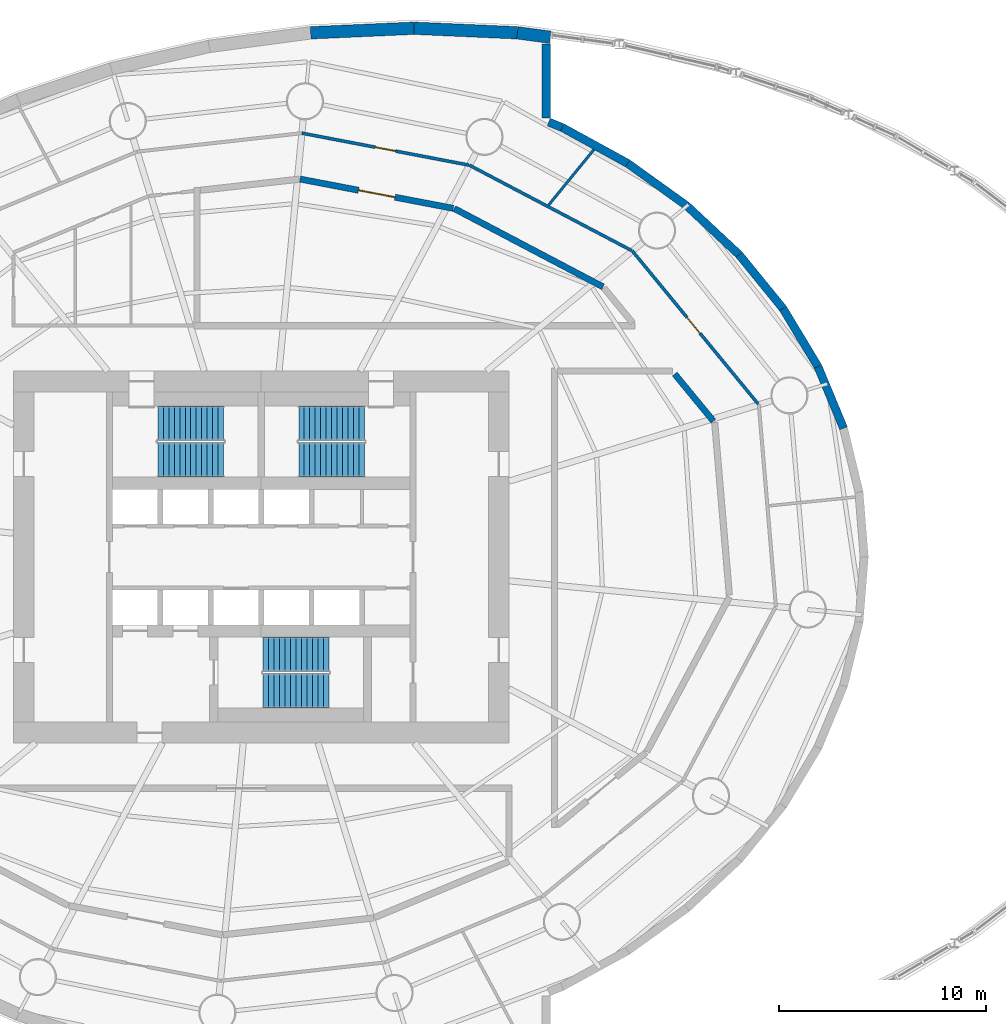
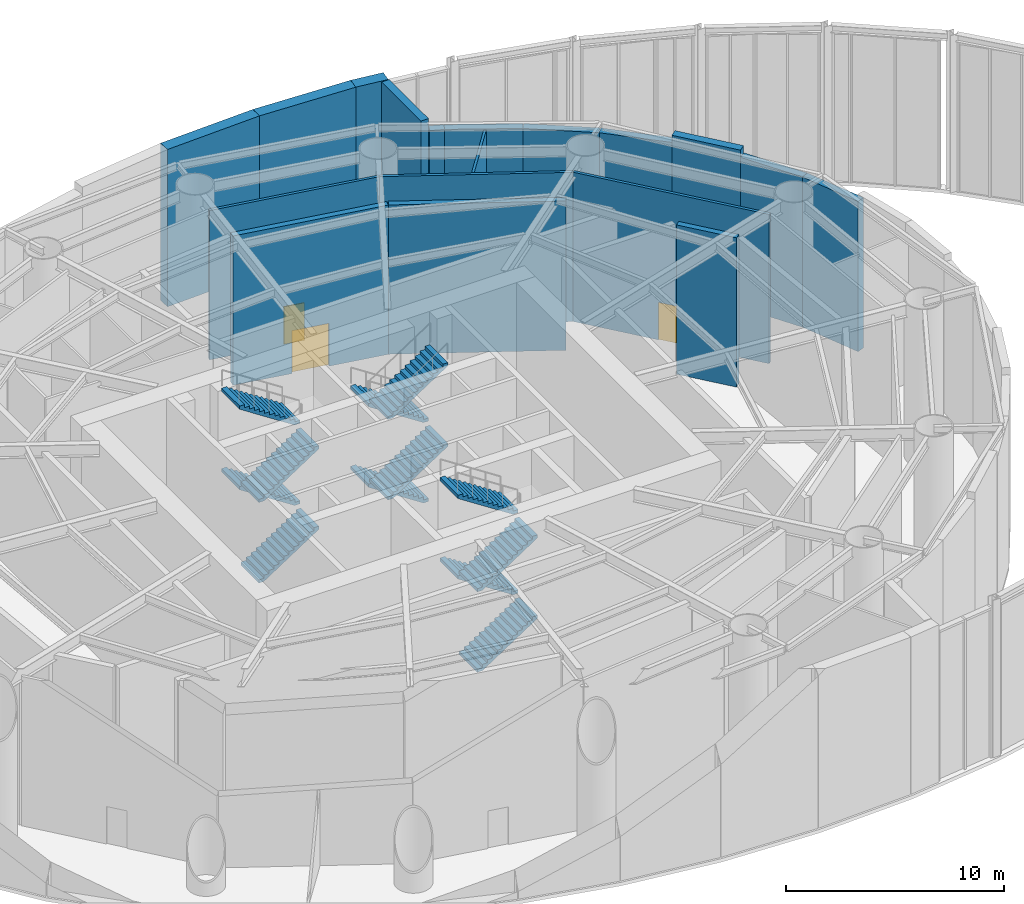
# One storey, part 17 of 19: 18 walls, 12 stair flights, 3 doors, 3 openings, 3 elements without a shape of their own.
"""IFC4 building model written with IfcOpenShell, lengths in metres."""

import ifcopenshell
import ifcopenshell.guid

model = None  # the IFC model being written
_history = None  # IfcOwnerHistory: only IFC2X3 demands one
_inside = {}  # id of a spatial element -> (the spatial element, [elements in it])
_under = {}  # id of a project, library or spatial element -> (it, [spatial elements below it])
_declared = {}  # id of a project -> (the project, [libraries it declares])
_typed = {}  # id of a type object -> (the type object, [elements of that type])
_made_of = {}  # id of a material, layer set ... -> (it, [elements and type objects made of it])


def new_model(schema):
    """Start an empty IFC model of exactly this schema.

    Asked for "IFC4X3", IfcOpenShell would pick the latest addendum, in which some entities
    have other attributes; the version numbers below select the first issue.
    IFC2X3 requires an IfcOwnerHistory on every rooted entity: one is made here for all.
    """
    global model, _history
    if schema == "IFC4X3":
        model = ifcopenshell.file(schema_version=(4, 3, 0, 0))
    else:
        model = ifcopenshell.file(schema=schema)
    _inside.clear()
    _under.clear()
    _declared.clear()
    _typed.clear()
    _made_of.clear()
    _history = None
    if model.schema == "IFC2X3":
        org = make("IfcOrganization", Name="unknown")
        user = make(
            "IfcPersonAndOrganization",
            ThePerson=make("IfcPerson", FamilyName="unknown"),
            TheOrganization=org,
        )
        app = make(
            "IfcApplication",
            ApplicationDeveloper=org,
            Version="unknown",
            ApplicationFullName="unknown",
            ApplicationIdentifier="unknown",
        )
        _history = make(
            "IfcOwnerHistory",
            OwningUser=user,
            OwningApplication=app,
            ChangeAction="ADDED",
            CreationDate=0,
        )
    return model


def make(cls, **values):
    """One entity of the class cls with the attributes given. An attribute that is None is left unset."""
    return model.create_entity(
        cls, **{name: value for name, value in values.items() if value is not None}
    )


def rooted(cls, **values):
    """An entity with a GlobalId (a new one), such as an element, a storey or a relation."""
    return make(cls, GlobalId=ifcopenshell.guid.new(), OwnerHistory=_history, **values)


def si_unit(unit_type, name, prefix=None):
    """IfcSIUnit, for example si_unit("LENGTHUNIT", "METRE", prefix="MILLI")."""
    return make("IfcSIUnit", UnitType=unit_type, Prefix=prefix, Name=name)


def assignment(units):
    """IfcUnitAssignment: the units of a project."""
    return None if units is None else make("IfcUnitAssignment", Units=units)


def point(xyz):
    """IfcCartesianPoint."""
    return None if xyz is None else make("IfcCartesianPoint", Coordinates=xyz)


def direction(xyz):
    """IfcDirection."""
    return None if xyz is None else make("IfcDirection", DirectionRatios=xyz)


def frame(location, z_axis=None, x_axis=None):
    """IfcAxis2Placement3D, a coordinate frame: its origin and axes. An axis left out is left unset."""
    return make(
        "IfcAxis2Placement3D",
        Location=point(location),
        Axis=direction(z_axis),
        RefDirection=direction(x_axis),
    )


def frame_2d(location, x_axis=None):
    """IfcAxis2Placement2D, a coordinate frame in the plane: its origin and x axis."""
    return make(
        "IfcAxis2Placement2D", Location=point(location), RefDirection=direction(x_axis)
    )


def origin():
    """The frame at (0, 0, 0) with its axes left unset."""
    return frame((0.0, 0.0, 0.0))


def place(relative_to, where):
    """IfcLocalPlacement: puts the frame where relative to a parent placement (None: the world)."""
    return make(
        "IfcLocalPlacement", PlacementRelTo=relative_to, RelativePlacement=where
    )


def context(
    kind, dimensions, precision=None, world=None, true_north=None, identifier=None
):
    """IfcGeometricRepresentationContext, for example the 3D "Model" context."""
    return make(
        "IfcGeometricRepresentationContext",
        ContextIdentifier=identifier,
        ContextType=kind,
        CoordinateSpaceDimension=dimensions,
        Precision=precision,
        WorldCoordinateSystem=world,
        TrueNorth=true_north,
    )


def subcontext(parent, identifier, kind, view, scale=None):
    """IfcGeometricRepresentationSubContext, for example "Body" below "Model"."""
    return make(
        "IfcGeometricRepresentationSubContext",
        ContextIdentifier=identifier,
        ContextType=kind,
        ParentContext=parent,
        TargetScale=scale,
        TargetView=view,
    )


def project(units=None, contexts=None):
    """IfcProject with its units and contexts."""
    return rooted(
        "IfcProject",
        Name="project",
        RepresentationContexts=contexts,
        UnitsInContext=assignment(units),
    )


def spatial(cls, under=None, at=None, **own):
    """A site, building, storey or space (cls), placed at a placement, below another one or the project."""
    s = rooted(cls, ObjectPlacement=at, **own)
    if under is not None:
        _under.setdefault(under.id(), (under, []))[1].append(s)
    return s


def polyline(points):
    """IfcPolyline through the points."""
    return make("IfcPolyline", Points=[point(p) for p in points])


def profile(cls, at=None, kind="AREA", **sizes):
    """A parametric profile (cls). Its sizes go by their IFC names, for example OverallWidth=200.0."""
    return make(cls, ProfileType=kind, Position=at, **sizes)


def rectangle(**sizes):
    """IfcRectangleProfileDef."""
    return profile("IfcRectangleProfileDef", **sizes)


def outline(outer, holes=None, kind="AREA"):
    """IfcArbitraryClosedProfileDef: a profile drawn as a closed curve; with holes, ...WithVoids."""
    if holes is None:
        return make("IfcArbitraryClosedProfileDef", ProfileType=kind, OuterCurve=outer)
    return make(
        "IfcArbitraryProfileDefWithVoids",
        ProfileType=kind,
        OuterCurve=outer,
        InnerCurves=holes,
    )


def extrude(swept, where, along, depth):
    """IfcExtrudedAreaSolid: the profile swept, set in the frame where, extruded along a direction by depth."""
    return make(
        "IfcExtrudedAreaSolid",
        SweptArea=swept,
        Position=where,
        ExtrudedDirection=direction(along),
        Depth=depth,
    )


def shape(context_of_items, identifier, shape_type, items):
    """IfcShapeRepresentation: the items that make up one representation, for example the "Body"."""
    return make(
        "IfcShapeRepresentation",
        ContextOfItems=context_of_items,
        RepresentationIdentifier=identifier,
        RepresentationType=shape_type,
        Items=items,
    )


def material(Name=None, Category=None):
    """IfcMaterial."""
    return make("IfcMaterial", Name=Name, Category=Category)


def layer(
    of_material, thickness, ventilated=None, Name=None, Category=None, Priority=None
):
    """IfcMaterialLayer: one layer of a wall or slab, of a material (None: an air gap)."""
    return make(
        "IfcMaterialLayer",
        Material=of_material,
        LayerThickness=thickness,
        IsVentilated=ventilated,
        Name=Name,
        Category=Category,
        Priority=Priority,
    )


def layer_set(layers, Name=None):
    """IfcMaterialLayerSet."""
    return make("IfcMaterialLayerSet", MaterialLayers=layers, LayerSetName=Name)


def made_of(thing, what):
    """Note that an element or type object is made of a material, layer set ...; save() writes the relation."""
    if what is not None:
        _made_of.setdefault(what.id(), (what, []))[1].append(thing)
    return thing


def type_object(cls, material=None, **own):
    """A type object (cls), such as IfcWallType, which elements share."""
    return made_of(rooted(cls, **own), material)


def element(
    cls,
    number,
    at=None,
    inside=None,
    cuts=None,
    type_object=None,
    material=None,
    context=None,
    identifier="Body",
    shape_type=None,
    held_by="IfcProductDefinitionShape",
    body=None,
    shapes=None,
    **own,
):
    """One element of the class cls, such as IfcWall. Its Tag is "e" and its number.

    at: its placement. inside: the storey or other place that contains it. cuts: it is an
    opening in that element (IfcRelVoidsElement). A single representation is given by context,
    identifier, shape_type and body (its items); several are given by shapes. held_by: the class
    of the entity that holds the representations. save() writes the other relations.
    """
    e = rooted(cls, Tag="e%d" % number, ObjectPlacement=at, **own)
    if body is not None:
        shapes = [shape(context, identifier, shape_type, body)]
    if shapes is not None:
        e.Representation = make(held_by, Representations=shapes)
    if inside is not None:
        _inside.setdefault(inside.id(), (inside, []))[1].append(e)
    if cuts is not None:
        rooted(
            "IfcRelVoidsElement", RelatingBuildingElement=cuts, RelatedOpeningElement=e
        )
    if type_object is not None:
        _typed.setdefault(type_object.id(), (type_object, []))[1].append(e)
    return made_of(e, material)


def fill(opening, filler):
    """IfcRelFillsElement: the door or window that sits in an opening."""
    return rooted(
        "IfcRelFillsElement",
        RelatingOpeningElement=opening,
        RelatedBuildingElement=filler,
    )


def aggregate(whole, parts):
    """IfcRelAggregates: a whole, such as a stair, and the parts it consists of."""
    return rooted("IfcRelAggregates", RelatingObject=whole, RelatedObjects=parts)


def save(model, path):
    """Write the relations noted so far, then the file.

    IfcRelAggregates (storeys below a building ...), IfcRelContainedInSpatialStructure (elements
    in a storey), IfcRelDefinesByType, IfcRelAssociatesMaterial and IfcRelDeclares: one each for
    every whole, place, type object, material and project.
    """
    for whole, parts in _under.values():
        aggregate(whole, parts)
    for where, things in _inside.values():
        rooted(
            "IfcRelContainedInSpatialStructure",
            RelatedElements=things,
            RelatingStructure=where,
        )
    for kind, things in _typed.values():
        rooted("IfcRelDefinesByType", RelatedObjects=things, RelatingType=kind)
    for what, things in _made_of.values():
        rooted("IfcRelAssociatesMaterial", RelatedObjects=things, RelatingMaterial=what)
    for by, libraries in _declared.values():
        rooted("IfcRelDeclares", RelatingContext=by, RelatedDefinitions=libraries)
    model.write(path)


model = new_model("IFC4")

# Units and contexts
model_context = context("Model", 3, precision=1e-05, world=origin(), true_north=direction((0.0, 1.0)))
body_context = subcontext(model_context, "Body", "Model", "MODEL_VIEW")
ifc_project = project(units=[si_unit("LENGTHUNIT", "METRE"), si_unit("AREAUNIT", "SQUARE_METRE"), si_unit("VOLUMEUNIT", "CUBIC_METRE"), si_unit("PLANEANGLEUNIT", "RADIAN"), si_unit("MASSUNIT", "GRAM", prefix="KILO")], contexts=[model_context])

# Site, building, storey
site_placement = place(None, origin())
site = spatial("IfcSite", under=ifc_project, at=site_placement, CompositionType="ELEMENT")
building_placement = place(site_placement, origin())
building = spatial("IfcBuilding", under=site, at=building_placement, Name="Vermilion Reach Broadcast Tower", CompositionType="ELEMENT")
storey_placement = place(building_placement, frame((0.0, 0.0, 17.0)))
storey = spatial("IfcBuildingStorey", under=building, at=storey_placement, Name="L02", CompositionType="ELEMENT", Elevation=17.0)

# Walls
ifc_material_1 = material(Name="Precast concrete C40/50 with acoustic cladding", Category="concrete")
ifc_layer_1 = layer(ifc_material_1, 0.39990234375)
ifc_layer_set_1 = layer_set([ifc_layer_1], Name="Atrium end wall 400")
wall_type_1 = type_object("IfcWallType", Name="Atrium end wall 400", PredefinedType="SOLIDWALL", material=ifc_layer_set_1)
wall_1_placement = place(storey_placement, frame((17.14013671875, 14.639892578125, 0.0), z_axis=(0.0, 0.0, 1.0), x_axis=(0.631953724698, -0.775006122453, 0.0)))
element("IfcWall", 1, at=wall_1_placement, inside=storey, type_object=wall_type_1, Name="Podium wall L02 dru04", PredefinedType="SOLIDWALL", context=body_context, shape_type="SweptSolid", body=[
    extrude(rectangle(XDim=3.3671875, YDim=0.39990234375, at=frame_2d((1.68359375, 0.0))), origin(), (0.0, 0.0, 1.0), 8.800048828125),
])
wall_2_placement = place(storey_placement, frame((7.800048828125, 24.84521484375, 0.0), z_axis=(0.0, 0.0, 1.0), x_axis=(0.0, -1.0, 0.0)))
element("IfcWall", 2, at=wall_2_placement, inside=storey, type_object=wall_type_1, Name="Atrium end wall L02 1", PredefinedType="SOLIDWALL", context=body_context, shape_type="SweptSolid", body=[
    extrude(rectangle(XDim=3.599365234375, YDim=0.39990234375, at=frame_2d((1.7998046875, 0.0))), origin(), (0.0, 0.0, 1.0), 8.800048828125),
])
ifc_material_2 = material(Name="Precast concrete C40/50 with acoustic cladding", Category="concrete")
ifc_layer_2 = layer(ifc_material_2, 0.39990234375)
ifc_layer_set_2 = layer_set([ifc_layer_2], Name="Atrium end wall 400, head 400 below soffit")
wall_type_2 = type_object("IfcWallType", Name="Atrium end wall 400, head 400 below soffit", PredefinedType="SOLIDWALL", material=ifc_layer_set_2)
wall_3_placement = place(storey_placement, frame((7.925048828125, 21.060546875, 0.0), z_axis=(0.0, 0.0, 1.0), x_axis=(0.927141159757, -0.374712249444, 0.0)))
element("IfcWall", 3, at=wall_3_placement, inside=storey, type_object=wall_type_2, Name="Podium wall L02 dru00", PredefinedType="SOLIDWALL", context=body_context, shape_type="SweptSolid", body=[
    extrude(rectangle(XDim=0.696533203125, YDim=0.39990234375, at=frame_2d((0.34814453125, 0.0))), origin(), (0.0, 0.0, 1.0), 8.39990234375),
])
wall_4_placement = place(storey_placement, frame((8.57080078125, 20.799560546875, 0.0), z_axis=(0.0, 0.0, 1.0), x_axis=(0.87711318505, -0.48028372928, 0.0)))
element("IfcWall", 4, at=wall_4_placement, inside=storey, type_object=wall_type_2, Name="Podium wall L02 dru01", PredefinedType="SOLIDWALL", context=body_context, shape_type="SweptSolid", body=[
    extrude(rectangle(XDim=3.61865234375, YDim=0.39990234375, at=frame_2d((1.809326171875, 0.0))), origin(), (0.0, 0.0, 1.0), 8.39990234375),
])
wall_5_placement = place(storey_placement, frame((11.744873046875, 19.0615234375, 0.0), z_axis=(0.0, 0.0, 1.0), x_axis=(0.81205624831, -0.583579171648, 0.0)))
element("IfcWall", 5, at=wall_5_placement, inside=storey, type_object=wall_type_2, Name="Podium wall L02 dru02", PredefinedType="SOLIDWALL", context=body_context, shape_type="SweptSolid", body=[
    extrude(rectangle(XDim=3.5380859375, YDim=0.39990234375, at=frame_2d((1.76904296875, 0.0))), origin(), (0.0, 0.0, 1.0), 8.39990234375),
])
wall_6_placement = place(storey_placement, frame((14.617919921875, 16.996826171875, 0.0), z_axis=(0.0, 0.0, 1.0), x_axis=(0.730641209912, -0.682761614605, 0.0)))
element("IfcWall", 6, at=wall_6_placement, inside=storey, type_object=wall_type_2, Name="Podium wall L02 dru03", PredefinedType="SOLIDWALL", context=body_context, shape_type="SweptSolid", body=[
    extrude(rectangle(XDim=3.4521484375, YDim=0.39990234375, at=frame_2d((1.72607421875, 0.0))), origin(), (0.0, 0.0, 1.0), 8.39990234375),
])
wall_7_placement = place(storey_placement, frame((19.26806640625, 12.0302734375, 0.0), z_axis=(0.0, 0.0, 1.0), x_axis=(0.515586767828, -0.856837373625, 0.0)))
element("IfcWall", 7, at=wall_7_placement, inside=storey, type_object=wall_type_2, Name="Podium wall L02 dru05", PredefinedType="SOLIDWALL", context=body_context, shape_type="SweptSolid", body=[
    extrude(rectangle(XDim=3.28955078125, YDim=0.39990234375, at=frame_2d((1.644775390625, 0.0))), origin(), (0.0, 0.0, 1.0), 8.39990234375),
])
wall_8_placement = place(storey_placement, frame((20.964111328125, 9.211669921875, 0.0), z_axis=(0.0, 0.0, 1.0), x_axis=(0.382706172342, -0.923870112976, 0.0)))
element("IfcWall", 8, at=wall_8_placement, inside=storey, type_object=wall_type_2, Name="Podium wall L02 dru06", PredefinedType="SOLIDWALL", context=body_context, shape_type="SweptSolid", body=[
    extrude(rectangle(XDim=3.224853515625, YDim=0.39990234375, at=frame_2d((1.6123046875, 0.0))), origin(), (0.0, 0.0, 1.0), 8.39990234375),
])

# Wall, opening, door
ifc_material_3 = material(Name="Gypsum board partition")
ifc_layer_3 = layer(ifc_material_3, 0.14990234375)
ifc_layer_set_3 = layer_set([ifc_layer_3], Name="Corridor wall 150")
wall_type_3 = type_object("IfcWallType", Name="Corridor wall 150", PredefinedType="PARTITIONING", material=ifc_layer_set_3)
wall_9_placement = place(storey_placement, frame((18.060302734375, 7.41064453125, 0.0), z_axis=(0.0, 0.0, 1.0), x_axis=(-0.63502168635, 0.772494309277, 0.0)))
wall_9 = element("IfcWall", 9, at=wall_9_placement, inside=storey, type_object=wall_type_3, Name="sp.wall.L02.036", PredefinedType="PARTITIONING", context=body_context, shape_type="SweptSolid", body=[
    extrude(rectangle(XDim=9.590087890625, YDim=0.14990234375, at=frame_2d((4.794921875, 0.0))), origin(), (0.0, 0.0, 1.0), 8.35009765625),
])
opening_1_placement = place(wall_9_placement, frame((4.422119140625, 0.0, 0.0)))
opening_1 = element("IfcOpeningElement", 10, at=opening_1_placement, cuts=wall_9, Name="Opening D50", PredefinedType="OPENING", context=body_context, shape_type="SweptSolid", body=[
    extrude(rectangle(XDim=1.0, YDim=2.10009765625, at=frame_2d((0.5, 1.050048828125))), frame((0.0, 0.0849609375, 0.0), z_axis=(0.0, -1.0, 0.0), x_axis=(1.0, 0.0, 0.0)), (0.0, 0.0, 1.0), 0.169921875),
])
ifc_material_4 = material(Name="Timber and steel door set", Category="steel")
door_type_1 = type_object("IfcDoorType", Name="Door 1000x2100", OperationType="NOTDEFINED", PredefinedType="DOOR", material=ifc_material_4)
door_1_placement = place(opening_1_placement, origin())
door_1 = element("IfcDoor", 11, at=door_1_placement, inside=storey, type_object=door_type_1, Name="sp.door.L02.007", OperationType="SINGLE_SWING_RIGHT", OverallHeight=2.10009765625, OverallWidth=1.0, PredefinedType="DOOR", context=body_context, shape_type="SweptSolid", body=[
    extrude(rectangle(XDim=1.0, YDim=2.10009765625, at=frame_2d((0.5, 1.050048828125))), frame((0.0, 0.02490234375, 0.0), z_axis=(0.0, -1.0, 0.0), x_axis=(1.0, 0.0, 0.0)), (0.0, 0.0, 1.0), 0.050048828125),
])
fill(opening_1, door_1)

# Wall
wall_10_placement = place(storey_placement, frame((4.08251953125, 18.97021484375, 0.0), z_axis=(0.0, 0.0, 1.0), x_axis=(0.884920607371, -0.465741901326, 0.0)))
element("IfcWall", 12, at=wall_10_placement, inside=storey, type_object=wall_type_3, Name="sp.wall.L02.037", PredefinedType="PARTITIONING", context=body_context, shape_type="SweptSolid", body=[
    extrude(rectangle(XDim=8.882080078125, YDim=0.14990234375, at=frame_2d((4.44091796875, 0.0))), origin(), (0.0, 0.0, 1.0), 8.35009765625),
])

# Wall, opening, door
wall_11_placement = place(storey_placement, frame((4.06005859375, 18.974609375, 0.0), z_axis=(0.0, 0.0, 1.0), x_axis=(-0.982207009241, 0.187801466976, 0.0)))
wall_11 = element("IfcWall", 13, at=wall_11_placement, inside=storey, type_object=wall_type_3, Name="sp.wall.L02.040", PredefinedType="PARTITIONING", context=body_context, shape_type="SweptSolid", body=[
    extrude(rectangle(XDim=8.234130859375, YDim=0.14990234375, at=frame_2d((4.1171875, 0.0))), origin(), (0.0, 0.0, 1.0), 8.35009765625),
])
opening_2_placement = place(wall_11_placement, frame((3.6171875, 0.0, 0.0)))
opening_2 = element("IfcOpeningElement", 14, at=opening_2_placement, cuts=wall_11, Name="Opening D50", PredefinedType="OPENING", context=body_context, shape_type="SweptSolid", body=[
    extrude(rectangle(XDim=1.0, YDim=2.10009765625, at=frame_2d((0.5, 1.050048828125))), frame((0.0, 0.0849609375, 0.0), z_axis=(0.0, -1.0, 0.0), x_axis=(1.0, 0.0, 0.0)), (0.0, 0.0, 1.0), 0.169921875),
])
door_2_placement = place(opening_2_placement, origin())
door_2 = element("IfcDoor", 15, at=door_2_placement, inside=storey, type_object=door_type_1, Name="sp.door.L02.008", OperationType="SINGLE_SWING_LEFT", OverallHeight=2.10009765625, OverallWidth=1.0, PredefinedType="DOOR", context=body_context, shape_type="SweptSolid", body=[
    extrude(rectangle(XDim=1.0, YDim=2.10009765625, at=frame_2d((0.5, 1.050048828125))), frame((0.0, 0.02490234375, 0.0), z_axis=(0.0, -1.0, 0.0), x_axis=(1.0, 0.0, 0.0)), (0.0, 0.0, 1.0), 0.050048828125),
])
fill(opening_2, door_2)

# Walls
ifc_material_5 = material(Name="Gypsum board partition")
ifc_layer_4 = layer(ifc_material_5, 0.125)
ifc_layer_set_4 = layer_set([ifc_layer_4], Name="Partition 125 plasterboard")
wall_type_4 = type_object("IfcWallType", Name="Partition 125 plasterboard", PredefinedType="PARTITIONING", material=ifc_layer_set_4)
wall_12_placement = place(storey_placement, frame((7.923583984375, 17.047607421875, 0.0), z_axis=(0.0, 0.0, 1.0), x_axis=(0.632553618191, 0.774516571878, 0.0)))
element("IfcWall", 16, at=wall_12_placement, inside=storey, type_object=wall_type_4, Name="sp.wall.L02.032", PredefinedType="PARTITIONING", context=body_context, shape_type="SweptSolid", body=[
    extrude(rectangle(XDim=3.460205078125, YDim=0.125, at=frame_2d((1.72998046875, 0.0))), origin(), (0.0, 0.0, 1.0), 8.35009765625),
])
ifc_material_6 = material(Name="Precast concrete C40/50 with acoustic cladding", Category="concrete")
ifc_layer_5 = layer(ifc_material_6, 0.60009765625)
ifc_layer_set_5 = layer_set([ifc_layer_5], Name="Podium acoustic wall 600")
wall_type_5 = type_object("IfcWallType", Name="Podium acoustic wall 600", PredefinedType="SOLIDWALL", material=ifc_layer_set_5)
wall_13_placement = place(storey_placement, frame((8.0, 25.1650390625, 0.0), z_axis=(0.0, 0.0, 1.0), x_axis=(-0.991131029833, 0.132888230112, 0.0)))
element("IfcWall", 17, at=wall_13_placement, inside=storey, type_object=wall_type_5, Name="Podium wall L02 str00", PredefinedType="SOLIDWALL", context=body_context, shape_type="SweptSolid", body=[
    extrude(rectangle(XDim=1.611328125, YDim=0.60009765625, at=frame_2d((0.8056640625, 0.0))), origin(), (0.0, 0.0, 1.0), 8.800048828125),
])
wall_14_placement = place(storey_placement, frame((6.403076171875, 25.379150390625, 0.0), z_axis=(0.0, 0.0, 1.0), x_axis=(-0.99902630841, 0.044118421369, 0.0)))
element("IfcWall", 18, at=wall_14_placement, inside=storey, type_object=wall_type_5, Name="Podium wall L02 str01", PredefinedType="SOLIDWALL", context=body_context, shape_type="SweptSolid", body=[
    extrude(rectangle(XDim=5.008056640625, YDim=0.60009765625, at=frame_2d((2.50390625, 0.0))), origin(), (0.0, 0.0, 1.0), 8.800048828125),
])
wall_15_placement = place(storey_placement, frame((1.39990234375, 25.60009765625, 0.0), z_axis=(0.0, 0.0, 1.0), x_axis=(-0.999026213515, -0.044120570136, 0.0)))
element("IfcWall", 19, at=wall_15_placement, inside=storey, type_object=wall_type_5, Name="Podium wall L02 str02", PredefinedType="SOLIDWALL", context=body_context, shape_type="SweptSolid", body=[
    extrude(rectangle(XDim=5.0078125, YDim=0.60009765625, at=frame_2d((2.50390625, 0.0))), origin(), (0.0, 0.0, 1.0), 8.800048828125),
])

# Wall, opening, door
ifc_material_7 = material(Name="Gypsum board double-leaf partition")
ifc_layer_6 = layer(ifc_material_7, 0.300048828125)
ifc_layer_set_6 = layer_set([ifc_layer_6], Name="Studio acoustic wall 300")
wall_type_6 = type_object("IfcWallType", Name="Studio acoustic wall 300", PredefinedType="PARTITIONING", material=ifc_layer_set_6)
wall_16_placement = place(storey_placement, frame((3.302734375, 16.87939453125, 0.0), z_axis=(0.0, 0.0, 1.0), x_axis=(-0.982202179266, 0.18782672612, 0.0)))
wall_16 = element("IfcWall", 20, at=wall_16_placement, inside=storey, type_object=wall_type_6, Name="sp.wall.L02.014", PredefinedType="PARTITIONING", context=body_context, shape_type="SweptSolid", body=[
    extrude(rectangle(XDim=7.550537109375, YDim=0.300048828125, at=frame_2d((3.775390625, 0.0))), origin(), (0.0, 0.0, 1.0), 8.35009765625),
])
opening_3_placement = place(wall_16_placement, frame((2.875244140625, 0.0, 0.0)))
opening_3 = element("IfcOpeningElement", 21, at=opening_3_placement, cuts=wall_16, Name="Opening D52", PredefinedType="OPENING", context=body_context, shape_type="SweptSolid", body=[
    extrude(rectangle(XDim=1.800048828125, YDim=2.39990234375, at=frame_2d((0.89990234375, 1.199951171875))), frame((0.0, 0.159912109375, 0.0), z_axis=(0.0, -1.0, 0.0), x_axis=(1.0, 0.0, 0.0)), (0.0, 0.0, 1.0), 0.320068359375),
])
ifc_material_8 = material(Name="Timber and steel door set", Category="steel")
door_type_2 = type_object("IfcDoorType", Name="Studio sound lock door 1800x2400", OperationType="NOTDEFINED", PredefinedType="DOOR", material=ifc_material_8)
door_3_placement = place(opening_3_placement, origin())
door_3 = element("IfcDoor", 22, at=door_3_placement, inside=storey, type_object=door_type_2, Name="sp.door.L02.003", OperationType="DOUBLE_DOOR_SINGLE_SWING", OverallHeight=2.39990234375, OverallWidth=1.800048828125, PredefinedType="DOOR", context=body_context, shape_type="SweptSolid", body=[
    extrude(rectangle(XDim=1.800048828125, YDim=2.39990234375, at=frame_2d((0.89990234375, 1.199951171875))), frame((0.0, 0.02490234375, 0.0), z_axis=(0.0, -1.0, 0.0), x_axis=(1.0, 0.0, 0.0)), (0.0, 0.0, 1.0), 0.050048828125),
])
fill(opening_3, door_3)

# Walls
wall_17_placement = place(storey_placement, frame((3.34765625, 16.870849609375, 0.0), z_axis=(0.0, 0.0, 1.0), x_axis=(0.884926027541, -0.46573160273, 0.0)))
element("IfcWall", 23, at=wall_17_placement, inside=storey, type_object=wall_type_6, Name="sp.wall.L02.015", PredefinedType="PARTITIONING", context=body_context, shape_type="SweptSolid", body=[
    extrude(rectangle(XDim=8.14208984375, YDim=0.300048828125, at=frame_2d((4.071044921875, 0.0))), origin(), (0.0, 0.0, 1.0), 8.35009765625),
])
wall_18_placement = place(storey_placement, frame((14.021728515625, 8.859130859375, 0.0), z_axis=(0.0, 0.0, 1.0), x_axis=(0.635004353448, -0.7725085573, 0.0)))
element("IfcWall", 24, at=wall_18_placement, inside=storey, type_object=wall_type_6, Name="sp.wall.L02.017", PredefinedType="PARTITIONING", context=body_context, shape_type="SweptSolid", body=[
    extrude(rectangle(XDim=2.947265625, YDim=0.300048828125, at=frame_2d((1.4736328125, 0.0))), origin(), (0.0, 0.0, 1.0), 8.35009765625),
])

# Stair, stair flights
ifc_material_9 = material(Name="Concrete C40", Category="concrete")
stair_type = type_object("IfcStairType", Name="Exit stair RC 52 risers 173 mm", PredefinedType="HALF_TURN_STAIR", material=ifc_material_9)
placement = place(storey_placement, origin())
stair_1 = element("IfcStair", 25, at=placement, inside=storey, type_object=stair_type, Name="L02 Exit stair ST1", PredefinedType="HALF_TURN_STAIR")
ifc_material_10 = material(Name="Concrete C40", Category="concrete")
stair_flight_type = type_object("IfcStairFlightType", Name="Exit stair flight RC 13 risers", PredefinedType="STRAIGHT", material=ifc_material_10)
stair_flight_1_placement = place(storey_placement, frame((-11.0, 4.7099609375, 0.0), z_axis=(0.0, 0.0, 1.0), x_axis=(1.0, 0.0, 0.0)))
stair_flight_1 = element("IfcStairFlight", 26, at=stair_flight_1_placement, type_object=stair_flight_type, Name="ST1 flight 1", NumberOfRisers=13, NumberOfTreads=12, PredefinedType="STRAIGHT", RiserHeight=0.173076923, TreadLength=0.265, context=body_context, shape_type="SweptSolid", body=[
    extrude(outline(polyline([(0.0, 0.0), (0.0, 0.173095703125), (0.264892578125, 0.173095703125), (0.264892578125, 0.34619140625), (0.530029296875, 0.34619140625), (0.530029296875, 0.519287109375), (0.794921875, 0.519287109375), (0.794921875, 0.6923828125), (1.06005859375, 0.6923828125), (1.06005859375, 0.865478515625), (1.324951171875, 0.865478515625), (1.324951171875, 1.03857421875), (1.590087890625, 1.03857421875), (1.590087890625, 1.21142578125), (1.85498046875, 1.21142578125), (1.85498046875, 1.384521484375), (2.1201171875, 1.384521484375), (2.1201171875, 1.5576171875), (2.385009765625, 1.5576171875), (2.385009765625, 1.730712890625), (2.64990234375, 1.730712890625), (2.64990234375, 1.90380859375), (2.9150390625, 1.90380859375), (2.9150390625, 2.076904296875), (3.179931640625, 2.076904296875), (3.179931640625, 2.25), (3.179931640625, 1.89794921875), (0.274169921875, 0.0), (0.0, 0.0)])), frame((0.0, 0.830078125, 0.0), z_axis=(0.0, -1.0, 0.0), x_axis=(1.0, 0.0, 0.0)), (0.0, 0.0, 1.0), 1.659912109375),
])
stair_flight_2_placement = place(storey_placement, frame((-7.820068359375, 6.469970703125, 2.25), z_axis=(0.0, 0.0, 1.0), x_axis=(-1.0, 0.0, 0.0)))
stair_flight_2 = element("IfcStairFlight", 27, at=stair_flight_2_placement, type_object=stair_flight_type, Name="ST1 flight 2", NumberOfRisers=13, NumberOfTreads=12, PredefinedType="STRAIGHT", RiserHeight=0.173076923, TreadLength=0.265, context=body_context, shape_type="SweptSolid", body=[
    extrude(outline(polyline([(0.0, 0.0), (0.0, 0.173095703125), (0.264892578125, 0.173095703125), (0.264892578125, 0.34619140625), (0.530029296875, 0.34619140625), (0.530029296875, 0.519287109375), (0.794921875, 0.519287109375), (0.794921875, 0.6923828125), (1.06005859375, 0.6923828125), (1.06005859375, 0.865478515625), (1.324951171875, 0.865478515625), (1.324951171875, 1.03857421875), (1.590087890625, 1.03857421875), (1.590087890625, 1.21142578125), (1.85498046875, 1.21142578125), (1.85498046875, 1.384521484375), (2.1201171875, 1.384521484375), (2.1201171875, 1.5576171875), (2.385009765625, 1.5576171875), (2.385009765625, 1.730712890625), (2.64990234375, 1.730712890625), (2.64990234375, 1.90380859375), (2.9150390625, 1.90380859375), (2.9150390625, 2.076904296875), (3.179931640625, 2.076904296875), (3.179931640625, 2.25), (3.179931640625, 1.89794921875), (0.274169921875, 0.0), (0.0, 0.0)])), frame((0.0, 0.830078125, 0.0), z_axis=(0.0, -1.0, 0.0), x_axis=(1.0, 0.0, 0.0)), (0.0, 0.0, 1.0), 1.659912109375),
])
stair_flight_3_placement = place(storey_placement, frame((-11.0, 4.7099609375, 4.5), z_axis=(0.0, 0.0, 1.0), x_axis=(1.0, 0.0, 0.0)))
stair_flight_3 = element("IfcStairFlight", 28, at=stair_flight_3_placement, type_object=stair_flight_type, Name="ST1 flight 3", NumberOfRisers=13, NumberOfTreads=12, PredefinedType="STRAIGHT", RiserHeight=0.173076923, TreadLength=0.265, context=body_context, shape_type="SweptSolid", body=[
    extrude(outline(polyline([(0.0, 0.0), (0.0, 0.173095703125), (0.264892578125, 0.173095703125), (0.264892578125, 0.34619140625), (0.530029296875, 0.34619140625), (0.530029296875, 0.519287109375), (0.794921875, 0.519287109375), (0.794921875, 0.6923828125), (1.06005859375, 0.6923828125), (1.06005859375, 0.865478515625), (1.324951171875, 0.865478515625), (1.324951171875, 1.03857421875), (1.590087890625, 1.03857421875), (1.590087890625, 1.21142578125), (1.85498046875, 1.21142578125), (1.85498046875, 1.384521484375), (2.1201171875, 1.384521484375), (2.1201171875, 1.5576171875), (2.385009765625, 1.5576171875), (2.385009765625, 1.730712890625), (2.64990234375, 1.730712890625), (2.64990234375, 1.90380859375), (2.9150390625, 1.90380859375), (2.9150390625, 2.076904296875), (3.179931640625, 2.076904296875), (3.179931640625, 2.25), (3.179931640625, 1.89794921875), (0.274169921875, 0.0), (0.0, 0.0)])), frame((0.0, 0.830078125, 0.0), z_axis=(0.0, -1.0, 0.0), x_axis=(1.0, 0.0, 0.0)), (0.0, 0.0, 1.0), 1.659912109375),
])
stair_flight_4_placement = place(storey_placement, frame((-7.820068359375, 6.469970703125, 6.75), z_axis=(0.0, 0.0, 1.0), x_axis=(-1.0, 0.0, 0.0)))
stair_flight_4 = element("IfcStairFlight", 29, at=stair_flight_4_placement, type_object=stair_flight_type, Name="ST1 flight 4", NumberOfRisers=13, NumberOfTreads=12, PredefinedType="STRAIGHT", RiserHeight=0.173076923, TreadLength=0.265, context=body_context, shape_type="SweptSolid", body=[
    extrude(outline(polyline([(0.0, 0.0), (0.0, 0.173095703125), (0.264892578125, 0.173095703125), (0.264892578125, 0.34619140625), (0.530029296875, 0.34619140625), (0.530029296875, 0.519287109375), (0.794921875, 0.519287109375), (0.794921875, 0.6923828125), (1.06005859375, 0.6923828125), (1.06005859375, 0.865478515625), (1.324951171875, 0.865478515625), (1.324951171875, 1.03857421875), (1.590087890625, 1.03857421875), (1.590087890625, 1.21142578125), (1.85498046875, 1.21142578125), (1.85498046875, 1.384521484375), (2.1201171875, 1.384521484375), (2.1201171875, 1.5576171875), (2.385009765625, 1.5576171875), (2.385009765625, 1.730712890625), (2.64990234375, 1.730712890625), (2.64990234375, 1.90380859375), (2.9150390625, 1.90380859375), (2.9150390625, 2.076904296875), (3.179931640625, 2.076904296875), (3.179931640625, 2.25), (3.179931640625, 1.89794921875), (0.274169921875, 0.0), (0.0, 0.0)])), frame((0.0, 0.830078125, 0.0), z_axis=(0.0, -1.0, 0.0), x_axis=(1.0, 0.0, 0.0)), (0.0, 0.0, 1.0), 1.659912109375),
])
aggregate(stair_1, [stair_flight_1, stair_flight_2, stair_flight_3, stair_flight_4])

stair_2 = element("IfcStair", 30, at=placement, inside=storey, type_object=stair_type, Name="L02 Exit stair ST2", PredefinedType="HALF_TURN_STAIR")
stair_flight_5_placement = place(storey_placement, frame((-1.0, 6.469970703125, 0.0), z_axis=(0.0, 0.0, 1.0), x_axis=(-1.0, 0.0, 0.0)))
stair_flight_5 = element("IfcStairFlight", 31, at=stair_flight_5_placement, type_object=stair_flight_type, Name="ST2 flight 1", NumberOfRisers=13, NumberOfTreads=12, PredefinedType="STRAIGHT", RiserHeight=0.173076923, TreadLength=0.265, context=body_context, shape_type="SweptSolid", body=[
    extrude(outline(polyline([(0.0, 0.0), (0.0, 0.173095703125), (0.264892578125, 0.173095703125), (0.264892578125, 0.34619140625), (0.530029296875, 0.34619140625), (0.530029296875, 0.519287109375), (0.794921875, 0.519287109375), (0.794921875, 0.6923828125), (1.06005859375, 0.6923828125), (1.06005859375, 0.865478515625), (1.324951171875, 0.865478515625), (1.324951171875, 1.03857421875), (1.590087890625, 1.03857421875), (1.590087890625, 1.21142578125), (1.85498046875, 1.21142578125), (1.85498046875, 1.384521484375), (2.1201171875, 1.384521484375), (2.1201171875, 1.5576171875), (2.385009765625, 1.5576171875), (2.385009765625, 1.730712890625), (2.64990234375, 1.730712890625), (2.64990234375, 1.90380859375), (2.9150390625, 1.90380859375), (2.9150390625, 2.076904296875), (3.179931640625, 2.076904296875), (3.179931640625, 2.25), (3.179931640625, 1.89794921875), (0.274169921875, 0.0), (0.0, 0.0)])), frame((0.0, 0.830078125, 0.0), z_axis=(0.0, -1.0, 0.0), x_axis=(1.0, 0.0, 0.0)), (0.0, 0.0, 1.0), 1.659912109375),
])
stair_flight_6_placement = place(storey_placement, frame((-4.179931640625, 4.7099609375, 2.25), z_axis=(0.0, 0.0, 1.0), x_axis=(1.0, 0.0, 0.0)))
stair_flight_6 = element("IfcStairFlight", 32, at=stair_flight_6_placement, type_object=stair_flight_type, Name="ST2 flight 2", NumberOfRisers=13, NumberOfTreads=12, PredefinedType="STRAIGHT", RiserHeight=0.173076923, TreadLength=0.265, context=body_context, shape_type="SweptSolid", body=[
    extrude(outline(polyline([(0.0, 0.0), (0.0, 0.173095703125), (0.264892578125, 0.173095703125), (0.264892578125, 0.34619140625), (0.530029296875, 0.34619140625), (0.530029296875, 0.519287109375), (0.794921875, 0.519287109375), (0.794921875, 0.6923828125), (1.06005859375, 0.6923828125), (1.06005859375, 0.865478515625), (1.324951171875, 0.865478515625), (1.324951171875, 1.03857421875), (1.590087890625, 1.03857421875), (1.590087890625, 1.21142578125), (1.85498046875, 1.21142578125), (1.85498046875, 1.384521484375), (2.1201171875, 1.384521484375), (2.1201171875, 1.5576171875), (2.385009765625, 1.5576171875), (2.385009765625, 1.730712890625), (2.64990234375, 1.730712890625), (2.64990234375, 1.90380859375), (2.9150390625, 1.90380859375), (2.9150390625, 2.076904296875), (3.179931640625, 2.076904296875), (3.179931640625, 2.25), (3.179931640625, 1.89794921875), (0.274169921875, 0.0), (0.0, 0.0)])), frame((0.0, 0.830078125, 0.0), z_axis=(0.0, -1.0, 0.0), x_axis=(1.0, 0.0, 0.0)), (0.0, 0.0, 1.0), 1.659912109375),
])
stair_flight_7_placement = place(storey_placement, frame((-1.0, 6.469970703125, 4.5), z_axis=(0.0, 0.0, 1.0), x_axis=(-1.0, 0.0, 0.0)))
stair_flight_7 = element("IfcStairFlight", 33, at=stair_flight_7_placement, type_object=stair_flight_type, Name="ST2 flight 3", NumberOfRisers=13, NumberOfTreads=12, PredefinedType="STRAIGHT", RiserHeight=0.173076923, TreadLength=0.265, context=body_context, shape_type="SweptSolid", body=[
    extrude(outline(polyline([(0.0, 0.0), (0.0, 0.173095703125), (0.264892578125, 0.173095703125), (0.264892578125, 0.34619140625), (0.530029296875, 0.34619140625), (0.530029296875, 0.519287109375), (0.794921875, 0.519287109375), (0.794921875, 0.6923828125), (1.06005859375, 0.6923828125), (1.06005859375, 0.865478515625), (1.324951171875, 0.865478515625), (1.324951171875, 1.03857421875), (1.590087890625, 1.03857421875), (1.590087890625, 1.21142578125), (1.85498046875, 1.21142578125), (1.85498046875, 1.384521484375), (2.1201171875, 1.384521484375), (2.1201171875, 1.5576171875), (2.385009765625, 1.5576171875), (2.385009765625, 1.730712890625), (2.64990234375, 1.730712890625), (2.64990234375, 1.90380859375), (2.9150390625, 1.90380859375), (2.9150390625, 2.076904296875), (3.179931640625, 2.076904296875), (3.179931640625, 2.25), (3.179931640625, 1.89794921875), (0.274169921875, 0.0), (0.0, 0.0)])), frame((0.0, 0.830078125, 0.0), z_axis=(0.0, -1.0, 0.0), x_axis=(1.0, 0.0, 0.0)), (0.0, 0.0, 1.0), 1.659912109375),
])
stair_flight_8_placement = place(storey_placement, frame((-4.179931640625, 4.7099609375, 6.75), z_axis=(0.0, 0.0, 1.0), x_axis=(1.0, 0.0, 0.0)))
stair_flight_8 = element("IfcStairFlight", 34, at=stair_flight_8_placement, type_object=stair_flight_type, Name="ST2 flight 4", NumberOfRisers=13, NumberOfTreads=12, PredefinedType="STRAIGHT", RiserHeight=0.173076923, TreadLength=0.265, context=body_context, shape_type="SweptSolid", body=[
    extrude(outline(polyline([(0.0, 0.0), (0.0, 0.173095703125), (0.264892578125, 0.173095703125), (0.264892578125, 0.34619140625), (0.530029296875, 0.34619140625), (0.530029296875, 0.519287109375), (0.794921875, 0.519287109375), (0.794921875, 0.6923828125), (1.06005859375, 0.6923828125), (1.06005859375, 0.865478515625), (1.324951171875, 0.865478515625), (1.324951171875, 1.03857421875), (1.590087890625, 1.03857421875), (1.590087890625, 1.21142578125), (1.85498046875, 1.21142578125), (1.85498046875, 1.384521484375), (2.1201171875, 1.384521484375), (2.1201171875, 1.5576171875), (2.385009765625, 1.5576171875), (2.385009765625, 1.730712890625), (2.64990234375, 1.730712890625), (2.64990234375, 1.90380859375), (2.9150390625, 1.90380859375), (2.9150390625, 2.076904296875), (3.179931640625, 2.076904296875), (3.179931640625, 2.25), (3.179931640625, 1.89794921875), (0.274169921875, 0.0), (0.0, 0.0)])), frame((0.0, 0.830078125, 0.0), z_axis=(0.0, -1.0, 0.0), x_axis=(1.0, 0.0, 0.0)), (0.0, 0.0, 1.0), 1.659912109375),
])
aggregate(stair_2, [stair_flight_5, stair_flight_6, stair_flight_7, stair_flight_8])

stair_3 = element("IfcStair", 35, at=placement, inside=storey, type_object=stair_type, Name="L02 Exit stair ST3", PredefinedType="HALF_TURN_STAIR")
stair_flight_9_placement = place(storey_placement, frame((-5.89990234375, -6.469970703125, 0.0), z_axis=(0.0, 0.0, 1.0), x_axis=(1.0, 0.0, 0.0)))
stair_flight_9 = element("IfcStairFlight", 36, at=stair_flight_9_placement, type_object=stair_flight_type, Name="ST3 flight 1", NumberOfRisers=13, NumberOfTreads=12, PredefinedType="STRAIGHT", RiserHeight=0.173076923, TreadLength=0.265, context=body_context, shape_type="SweptSolid", body=[
    extrude(outline(polyline([(0.0, 0.0), (0.0, 0.173095703125), (0.264892578125, 0.173095703125), (0.264892578125, 0.34619140625), (0.530029296875, 0.34619140625), (0.530029296875, 0.519287109375), (0.794921875, 0.519287109375), (0.794921875, 0.6923828125), (1.06005859375, 0.6923828125), (1.06005859375, 0.865478515625), (1.324951171875, 0.865478515625), (1.324951171875, 1.03857421875), (1.590087890625, 1.03857421875), (1.590087890625, 1.21142578125), (1.85498046875, 1.21142578125), (1.85498046875, 1.384521484375), (2.1201171875, 1.384521484375), (2.1201171875, 1.5576171875), (2.385009765625, 1.5576171875), (2.385009765625, 1.730712890625), (2.64990234375, 1.730712890625), (2.64990234375, 1.90380859375), (2.9150390625, 1.90380859375), (2.9150390625, 2.076904296875), (3.179931640625, 2.076904296875), (3.179931640625, 2.25), (3.179931640625, 1.89794921875), (0.274169921875, 0.0), (0.0, 0.0)])), frame((0.0, 0.830078125, 0.0), z_axis=(0.0, -1.0, 0.0), x_axis=(1.0, 0.0, 0.0)), (0.0, 0.0, 1.0), 1.659912109375),
])
stair_flight_10_placement = place(storey_placement, frame((-2.719970703125, -4.7099609375, 2.25), z_axis=(0.0, 0.0, 1.0), x_axis=(-1.0, 0.0, 0.0)))
stair_flight_10 = element("IfcStairFlight", 37, at=stair_flight_10_placement, type_object=stair_flight_type, Name="ST3 flight 2", NumberOfRisers=13, NumberOfTreads=12, PredefinedType="STRAIGHT", RiserHeight=0.173076923, TreadLength=0.265, context=body_context, shape_type="SweptSolid", body=[
    extrude(outline(polyline([(0.0, 0.0), (0.0, 0.173095703125), (0.264892578125, 0.173095703125), (0.264892578125, 0.34619140625), (0.530029296875, 0.34619140625), (0.530029296875, 0.519287109375), (0.794921875, 0.519287109375), (0.794921875, 0.6923828125), (1.06005859375, 0.6923828125), (1.06005859375, 0.865478515625), (1.324951171875, 0.865478515625), (1.324951171875, 1.03857421875), (1.590087890625, 1.03857421875), (1.590087890625, 1.21142578125), (1.85498046875, 1.21142578125), (1.85498046875, 1.384521484375), (2.1201171875, 1.384521484375), (2.1201171875, 1.5576171875), (2.385009765625, 1.5576171875), (2.385009765625, 1.730712890625), (2.64990234375, 1.730712890625), (2.64990234375, 1.90380859375), (2.9150390625, 1.90380859375), (2.9150390625, 2.076904296875), (3.179931640625, 2.076904296875), (3.179931640625, 2.25), (3.179931640625, 1.89794921875), (0.274169921875, 0.0), (0.0, 0.0)])), frame((0.0, 0.830078125, 0.0), z_axis=(0.0, -1.0, 0.0), x_axis=(1.0, 0.0, 0.0)), (0.0, 0.0, 1.0), 1.659912109375),
])
stair_flight_11_placement = place(storey_placement, frame((-5.89990234375, -6.469970703125, 4.5), z_axis=(0.0, 0.0, 1.0), x_axis=(1.0, 0.0, 0.0)))
stair_flight_11 = element("IfcStairFlight", 38, at=stair_flight_11_placement, type_object=stair_flight_type, Name="ST3 flight 3", NumberOfRisers=13, NumberOfTreads=12, PredefinedType="STRAIGHT", RiserHeight=0.173076923, TreadLength=0.265, context=body_context, shape_type="SweptSolid", body=[
    extrude(outline(polyline([(0.0, 0.0), (0.0, 0.173095703125), (0.264892578125, 0.173095703125), (0.264892578125, 0.34619140625), (0.530029296875, 0.34619140625), (0.530029296875, 0.519287109375), (0.794921875, 0.519287109375), (0.794921875, 0.6923828125), (1.06005859375, 0.6923828125), (1.06005859375, 0.865478515625), (1.324951171875, 0.865478515625), (1.324951171875, 1.03857421875), (1.590087890625, 1.03857421875), (1.590087890625, 1.21142578125), (1.85498046875, 1.21142578125), (1.85498046875, 1.384521484375), (2.1201171875, 1.384521484375), (2.1201171875, 1.5576171875), (2.385009765625, 1.5576171875), (2.385009765625, 1.730712890625), (2.64990234375, 1.730712890625), (2.64990234375, 1.90380859375), (2.9150390625, 1.90380859375), (2.9150390625, 2.076904296875), (3.179931640625, 2.076904296875), (3.179931640625, 2.25), (3.179931640625, 1.89794921875), (0.274169921875, 0.0), (0.0, 0.0)])), frame((0.0, 0.830078125, 0.0), z_axis=(0.0, -1.0, 0.0), x_axis=(1.0, 0.0, 0.0)), (0.0, 0.0, 1.0), 1.659912109375),
])
stair_flight_12_placement = place(storey_placement, frame((-2.719970703125, -4.7099609375, 6.75), z_axis=(0.0, 0.0, 1.0), x_axis=(-1.0, 0.0, 0.0)))
stair_flight_12 = element("IfcStairFlight", 39, at=stair_flight_12_placement, type_object=stair_flight_type, Name="ST3 flight 4", NumberOfRisers=13, NumberOfTreads=12, PredefinedType="STRAIGHT", RiserHeight=0.173076923, TreadLength=0.265, context=body_context, shape_type="SweptSolid", body=[
    extrude(outline(polyline([(0.0, 0.0), (0.0, 0.173095703125), (0.264892578125, 0.173095703125), (0.264892578125, 0.34619140625), (0.530029296875, 0.34619140625), (0.530029296875, 0.519287109375), (0.794921875, 0.519287109375), (0.794921875, 0.6923828125), (1.06005859375, 0.6923828125), (1.06005859375, 0.865478515625), (1.324951171875, 0.865478515625), (1.324951171875, 1.03857421875), (1.590087890625, 1.03857421875), (1.590087890625, 1.21142578125), (1.85498046875, 1.21142578125), (1.85498046875, 1.384521484375), (2.1201171875, 1.384521484375), (2.1201171875, 1.5576171875), (2.385009765625, 1.5576171875), (2.385009765625, 1.730712890625), (2.64990234375, 1.730712890625), (2.64990234375, 1.90380859375), (2.9150390625, 1.90380859375), (2.9150390625, 2.076904296875), (3.179931640625, 2.076904296875), (3.179931640625, 2.25), (3.179931640625, 1.89794921875), (0.274169921875, 0.0), (0.0, 0.0)])), frame((0.0, 0.830078125, 0.0), z_axis=(0.0, -1.0, 0.0), x_axis=(1.0, 0.0, 0.0)), (0.0, 0.0, 1.0), 1.659912109375),
])
aggregate(stair_3, [stair_flight_9, stair_flight_10, stair_flight_11, stair_flight_12])

save(model, "model.ifc")
